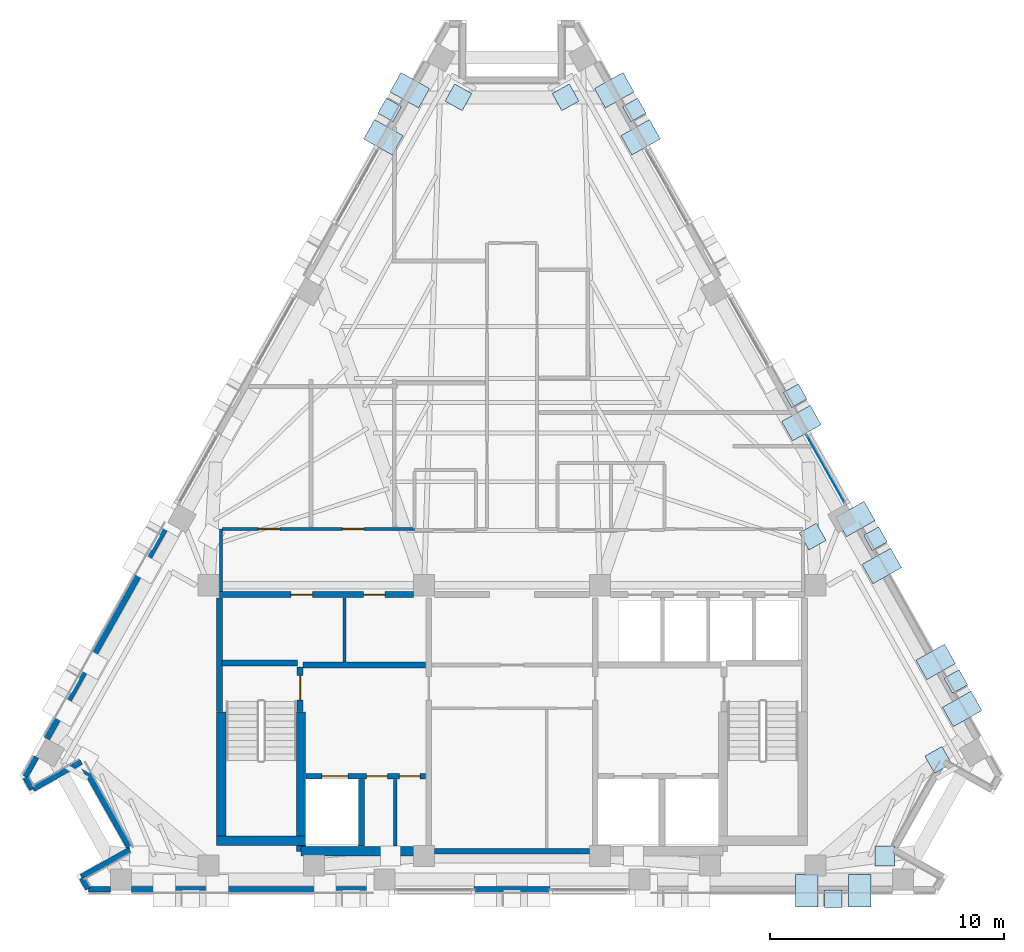
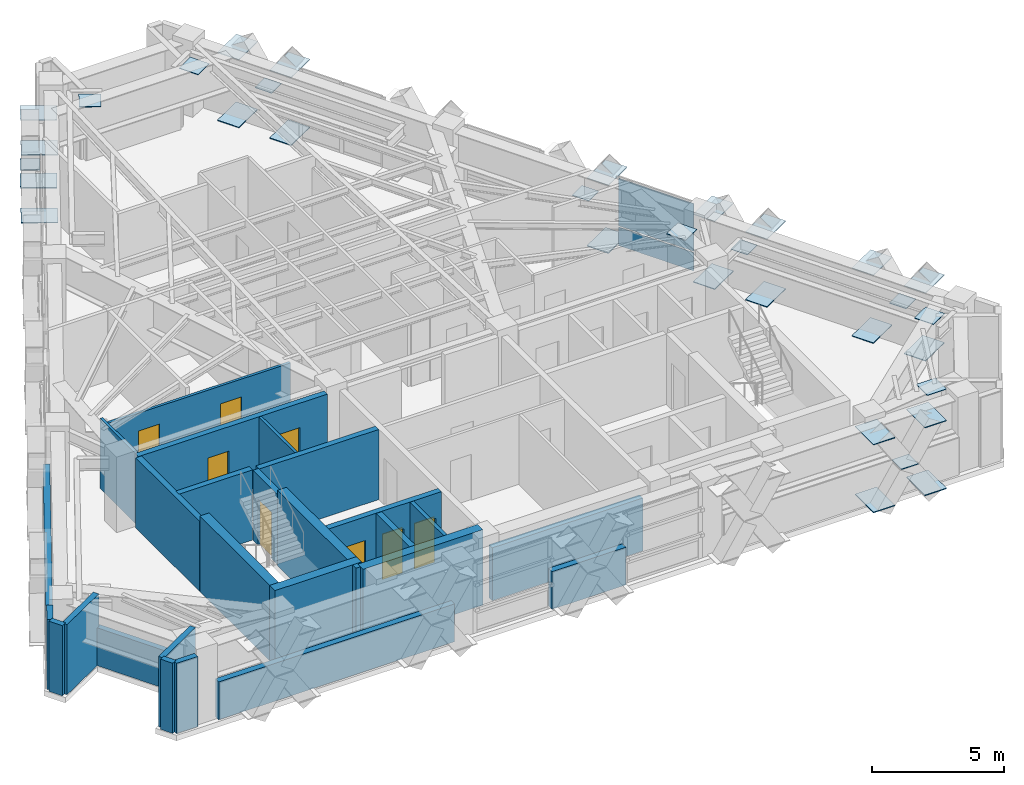
# One storey, part 7 of 13: 35 plates, 26 walls, 8 doors, 8 openings, 1 element without a shape of its own.
"""IFC4 building model written with IfcOpenShell, lengths in metres."""

from ifc_helpers import new_model, si_unit, direction, frame, frame_2d, origin, origin_2d, place, context, subcontext, project, spatial, rectangle, extrude, material, layer, layer_set, type_object, element, fill, aggregate, save


model = new_model("IFC4")

# Units and contexts
model_context = context("Model", 3, precision=1e-05, world=origin(), true_north=direction((0.0, 1.0)))
body_context = subcontext(model_context, "Body", "Model", "MODEL_VIEW")
ifc_project = project(units=[si_unit("LENGTHUNIT", "METRE"), si_unit("AREAUNIT", "SQUARE_METRE"), si_unit("VOLUMEUNIT", "CUBIC_METRE"), si_unit("PLANEANGLEUNIT", "RADIAN"), si_unit("MASSUNIT", "GRAM", prefix="KILO")], contexts=[model_context])

# Site, building, storey
site_placement = place(None, origin())
site = spatial("IfcSite", under=ifc_project, at=site_placement, CompositionType="ELEMENT")
building_placement = place(site_placement, origin())
building = spatial("IfcBuilding", under=site, at=building_placement, Name="Quenlor Broadcast Tower", CompositionType="ELEMENT")
storey_placement = place(building_placement, frame((0.0, 0.0, 225.39990234375)))
storey = spatial("IfcBuildingStorey", under=building, at=storey_placement, Name="L62", CompositionType="ELEMENT", Elevation=225.39990234375)

# Curtain wall, plates
ifc_material_1 = material(Name="Architectural Terracotta and Low-E Glazing", Category="masonry")
curtain_wall_type = type_object("IfcCurtainWallType", Name="Unitised Terracotta Curtain Wall System Z4", PredefinedType="NOTDEFINED", material=ifc_material_1)
curtain_wall_placement = place(storey_placement, origin())
curtain_wall = element("IfcCurtainWall", 1, at=curtain_wall_placement, inside=storey, type_object=curtain_wall_type, Name="L62 Curtain Wall CW4 (L62-NE-G2)", PredefinedType="NOTDEFINED")
ifc_material_2 = material(Name="Double Glazed Low-E Solar Glass", Category="glass")
ifc_layer_1 = layer(ifc_material_2, 0.028076171875)
ifc_layer_set_1 = layer_set([ifc_layer_1], Name="CW4 Double Glazed Vision Panel 28")
plate_type_1 = type_object("IfcPlateType", Name="CW4 Double Glazed Vision Panel 28", PredefinedType="CURTAIN_PANEL", material=ifc_layer_set_1)
plate_1_placement = place(storey_placement, frame((13.3759765625, 0.161376953125, 0.068359375), z_axis=(0.0, 0.0, 1.0), x_axis=(0.490257089819, -0.871577871382, 0.0)))
plate_1 = element("IfcPlate", 2, at=plate_1_placement, type_object=plate_type_1, Name="CW4 panel 1.1", PredefinedType="CURTAIN_PANEL", context=body_context, shape_type="SweptSolid", body=[
    extrude(rectangle(XDim=3.29638671875, YDim=0.028076171875, at=origin_2d()), origin(), (0.0, 0.0, 1.0), 0.847900390625),
])
plate_2_placement = place(storey_placement, frame((13.3759765625, 0.161376953125, 0.98388671875), z_axis=(0.0, 0.0, 1.0), x_axis=(0.490257089819, -0.871577871382, 0.0)))
plate_2 = element("IfcPlate", 3, at=plate_2_placement, type_object=plate_type_1, Name="CW4 panel 1.2", PredefinedType="CURTAIN_PANEL", context=body_context, shape_type="SweptSolid", body=[
    extrude(rectangle(XDim=3.29638671875, YDim=0.028076171875, at=origin_2d()), origin(), (0.0, 0.0, 1.0), 2.197998046875),
])
aggregate(curtain_wall, [plate_1, plate_2])

# Plates
ifc_material_3 = material(Name="Steel S355", Category="steel")
ifc_layer_2 = layer(ifc_material_3, 0.028076171875)
ifc_layer_set_2 = layer_set([ifc_layer_2], Name="Perimeter Lattice Node Steel S355 Cap Plate 740x740x28")
plate_type_2 = type_object("IfcPlateType", Name="Perimeter Lattice Node Steel S355 Cap Plate 740x740x28", PredefinedType="USERDEFINED", material=ifc_layer_set_2)
for number, where, z_axis, x_axis, name in (
    (4, (13.70068359375, -18.169921875, 1.6162109375), (0.0, 0.0, 1.0), (-1.0, 0.0, 0.0), "L62 Diamond Lattice Crossing Node S-C1"),
    (5, (5.21484375, 15.4755859375, 1.6162109375), (0.0, 0.0, 1.0), (0.490295412055, -0.871556314255, 0.0), "L62 Diamond Lattice Crossing Node NE-C1"),
    (6, (12.0732421875, 3.283447265625, 1.6162109375), (0.0, 0.0, 1.0), (0.490295412055, -0.871556314255, 0.0), "L62 Diamond Lattice Crossing Node NE-C3"),
    (7, (15.502197265625, -2.81298828125, 1.6162109375), (0.0, 0.0, 1.0), (0.490295412055, -0.871556314255, 0.0), "L62 Diamond Lattice Crossing Node NE-C4"),
    (8, (18.931396484375, -8.908935546875, 1.6162109375), (0.0, 0.0, 1.0), (0.490295412055, -0.871556314255, 0.0), "L62 Diamond Lattice Crossing Node NE-C5"),
    (9, (-5.21484375, 15.4755859375, 1.6162109375), (0.0, 0.0, 1.0), (0.490295412055, 0.871556314255, 0.0), "L62 Diamond Lattice Crossing Node NW-C5"),
):
    element("IfcPlate", number, at=place(storey_placement, frame(where, z_axis=z_axis, x_axis=x_axis)), inside=storey, type_object=plate_type_2, Name=name, ObjectType="CAP PLATE", PredefinedType="USERDEFINED", context=body_context, shape_type="SweptSolid", body=[
        extrude(rectangle(XDim=0.739990234375, YDim=0.739990234375, at=origin_2d()), origin(), (0.0, 0.0, 1.0), 0.028076171875),
    ])
ifc_material_4 = material(Name="Steel S355", Category="steel")
ifc_layer_3 = layer(ifc_material_4, 0.035888671875)
ifc_layer_set_3 = layer_set([ifc_layer_3], Name="Transfer Truss Steel S355 Gusset Node Plate 1400x950x36")
plate_type_3 = type_object("IfcPlateType", Name="Transfer Truss Steel S355 Gusset Node Plate 1400x950x36", PredefinedType="SHEET", material=ifc_layer_set_3)
for number, where, z_axis, x_axis, name in (
    (10, (14.828857421875, -17.8349609375, 0.0419921875), (0.0, 0.0, 1.0), (0.0, -1.0, 0.0), "L62 Lattice Tie Gusset Node S-B1"),
    (11, (12.57275390625, -17.8349609375, 3.18212890625), (0.0, 0.0, 1.0), (0.0, -1.0, 0.0), "L62 Lattice Tie Gusset Node S-T2"),
    (12, (12.57275390625, -17.8349609375, 0.0419921875), (0.0, 0.0, 1.0), (0.0, -1.0, 0.0), "L62 Lattice Tie Gusset Node S-B2"),
    (13, (14.828857421875, -17.8349609375, 3.18212890625), (0.0, 0.0, 1.0), (0.0, -1.0, 0.0), "L62 Lattice Tie Gusset Node S-T1"),
    (14, (4.3583984375, 16.315185546875, 0.0419921875), (0.0, 0.0, 1.0), (0.871556314255, 0.490295412055, 0.0), "L62 Lattice Tie Gusset Node NE-B1"),
    (15, (5.48779296875, 14.3076171875, 3.18212890625), (0.0, 0.0, 1.0), (0.871556314255, 0.490295412055, 0.0), "L62 Lattice Tie Gusset Node NE-T2"),
    (16, (5.48779296875, 14.3076171875, 0.0419921875), (0.0, 0.0, 1.0), (0.871556314255, 0.490295412055, 0.0), "L62 Lattice Tie Gusset Node NE-B2"),
    (17, (4.3583984375, 16.315185546875, 3.18212890625), (0.0, 0.0, 1.0), (0.871556314255, 0.490295412055, 0.0), "L62 Lattice Tie Gusset Node NE-T1"),
    (18, (12.345947265625, 2.115234375, 3.18212890625), (0.0, 0.0, 1.0), (0.871556314255, 0.490295412055, 0.0), "L62 Lattice Tie Gusset Node NE-T8"),
    (19, (12.345947265625, 2.115234375, 0.0419921875), (0.0, 0.0, 1.0), (0.871556314255, 0.490295412055, 0.0), "L62 Lattice Tie Gusset Node NE-B8"),
    (20, (14.6455078125, -1.97314453125, 0.0419921875), (0.0, 0.0, 1.0), (0.871556314255, 0.490295412055, 0.0), "L62 Lattice Tie Gusset Node NE-B10"),
    (21, (15.77490234375, -3.98095703125, 3.18212890625), (0.0, 0.0, 1.0), (0.871556314255, 0.490295412055, 0.0), "L62 Lattice Tie Gusset Node NE-T11"),
    (22, (15.77490234375, -3.98095703125, 0.0419921875), (0.0, 0.0, 1.0), (0.871556314255, 0.490295412055, 0.0), "L62 Lattice Tie Gusset Node NE-B11"),
    (23, (14.6455078125, -1.97314453125, 3.18212890625), (0.0, 0.0, 1.0), (0.871556314255, 0.490295412055, 0.0), "L62 Lattice Tie Gusset Node NE-T10"),
    (24, (18.07470703125, -8.0693359375, 0.0419921875), (0.0, 0.0, 1.0), (0.871556314255, 0.490295412055, 0.0), "L62 Lattice Tie Gusset Node NE-B13"),
    (25, (19.2041015625, -10.0771484375, 3.18212890625), (0.0, 0.0, 1.0), (0.871556314255, 0.490295412055, 0.0), "L62 Lattice Tie Gusset Node NE-T14"),
    (26, (19.2041015625, -10.0771484375, 0.0419921875), (0.0, 0.0, 1.0), (0.871556314255, 0.490295412055, 0.0), "L62 Lattice Tie Gusset Node NE-B14"),
    (27, (18.07470703125, -8.0693359375, 3.18212890625), (0.0, 0.0, 1.0), (0.871556314255, 0.490295412055, 0.0), "L62 Lattice Tie Gusset Node NE-T13"),
    (28, (-5.48779296875, 14.3076171875, 0.0419921875), (0.0, 0.0, 1.0), (-0.871556314255, 0.490295412055, 0.0), "L62 Lattice Tie Gusset Node NW-B13"),
    (29, (-4.3583984375, 16.315185546875, 3.18212890625), (0.0, 0.0, 1.0), (-0.871556314255, 0.490295412055, 0.0), "L62 Lattice Tie Gusset Node NW-T14"),
    (30, (-4.3583984375, 16.315185546875, 0.0419921875), (0.0, 0.0, 1.0), (-0.871556314255, 0.490295412055, 0.0), "L62 Lattice Tie Gusset Node NW-B14"),
    (31, (-5.48779296875, 14.3076171875, 3.18212890625), (0.0, 0.0, 1.0), (-0.871556314255, 0.490295412055, 0.0), "L62 Lattice Tie Gusset Node NW-T13"),
):
    element("IfcPlate", number, at=place(storey_placement, frame(where, z_axis=z_axis, x_axis=x_axis)), inside=storey, type_object=plate_type_3, Name=name, PredefinedType="SHEET", context=body_context, shape_type="SweptSolid", body=[
        extrude(rectangle(XDim=1.39990234375, YDim=0.949951171875, at=origin_2d()), origin(), (0.0, 0.0, 1.0), 0.035888671875),
    ])
ifc_material_5 = material(Name="Steel S355", Category="steel")
ifc_layer_4 = layer(ifc_material_5, 0.028076171875)
ifc_layer_set_4 = layer_set([ifc_layer_4], Name="Upper Zone Setback Steel S355 Kink Cap Plate 840x840x28")
plate_type_4 = type_object("IfcPlateType", Name="Upper Zone Setback Steel S355 Kink Cap Plate 840x840x28", PredefinedType="USERDEFINED", material=ifc_layer_set_4)
for number, where, z_axis, x_axis, name in (
    (32, (15.897705078125, -16.35009765625, 3.22021484375), (0.0, 0.0, 1.0), (0.0, 1.0, 0.0), "L62 Setback Kink Plate S4"),
    (33, (18.182373046875, -12.25, 3.22021484375), (0.0, 0.0, 1.0), (0.871575139605, 0.490261946333, 0.0), "L62 Setback Kink Plate NE1"),
    (34, (12.825439453125, -2.726806640625, 3.22021484375), (0.0, 0.0, 1.0), (0.871575139605, 0.490261946333, 0.0), "L62 Setback Kink Plate NE2"),
    (35, (2.28466796875, 16.012451171875, 3.22021484375), (0.0, 0.0, 1.0), (0.871575139605, 0.490261946333, 0.0), "L62 Setback Kink Plate NE4"),
    (36, (-2.28466796875, 16.012451171875, 3.22021484375), (0.0, 0.0, 1.0), (-0.871575139605, 0.490261946333, 0.0), "L62 Setback Kink Plate NW1"),
):
    element("IfcPlate", number, at=place(storey_placement, frame(where, z_axis=z_axis, x_axis=x_axis)), inside=storey, type_object=plate_type_4, Name=name, ObjectType="CAP PLATE", PredefinedType="USERDEFINED", context=body_context, shape_type="SweptSolid", body=[
        extrude(rectangle(XDim=0.840087890625, YDim=0.840087890625, at=origin_2d()), origin(), (0.0, 0.0, 1.0), 0.028076171875),
    ])

# Walls
ifc_material_6 = material(Name="Concrete C50/60", Category="concrete")
ifc_layer_5 = layer(ifc_material_6, 0.39990234375)
ifc_layer_set_5 = layer_set([ifc_layer_5], Name="Core Concrete C50/60 Shear Wall 400")
wall_type_1 = type_object("IfcWallType", Name="Core Concrete C50/60 Shear Wall 400", PredefinedType="SHEAR", material=ifc_layer_set_5)
wall_1_placement = place(storey_placement, frame((-12.60009765625, -15.699951171875, 0.0), z_axis=(0.0, 0.0, 1.0), x_axis=(1.0, 0.0, 0.0)))
element("IfcWall", 37, at=wall_1_placement, inside=storey, type_object=wall_type_1, Name="L62 Core Shear Wall WS-W1", PredefinedType="SHEAR", context=body_context, shape_type="SweptSolid", body=[
    extrude(rectangle(XDim=3.800048828125, YDim=0.39990234375, at=frame_2d((1.89990234375, 0.0))), origin(), (0.0, 0.0, 1.0), 3.5),
])
wall_2_placement = place(storey_placement, frame((-9.0, -16.14990234375, 0.0), z_axis=(0.0, 0.0, 1.0), x_axis=(1.0, 0.0, 0.0)))
element("IfcWall", 38, at=wall_2_placement, inside=storey, type_object=wall_type_1, Name="L62 Core Shear Wall WS-W2", PredefinedType="SHEAR", context=body_context, shape_type="SweptSolid", body=[
    extrude(rectangle(XDim=5.25, YDim=0.39990234375, at=frame_2d((2.625, 0.0))), origin(), (0.0, 0.0, 1.0), 3.5),
])
wall_3_placement = place(storey_placement, frame((-12.39990234375, -15.699951171875, 0.0), z_axis=(0.0, 0.0, 1.0), x_axis=(0.0, 1.0, 0.0)))
element("IfcWall", 39, at=wall_3_placement, inside=storey, type_object=wall_type_1, Name="L62 Core Shear Wall WF-W", PredefinedType="SHEAR", context=body_context, shape_type="SweptSolid", body=[
    extrude(rectangle(XDim=5.5, YDim=0.39990234375, at=frame_2d((2.75, 0.0))), origin(), (0.0, 0.0, 1.0), 3.5),
])
wall_4_placement = place(storey_placement, frame((-9.0, -16.14990234375, 0.0), z_axis=(0.0, 0.0, 1.0), x_axis=(0.0, 1.0, 0.0)))
element("IfcWall", 40, at=wall_4_placement, inside=storey, type_object=wall_type_1, Name="L62 Core Shear Wall WI-W", PredefinedType="SHEAR", context=body_context, shape_type="SweptSolid", body=[
    extrude(rectangle(XDim=5.949951171875, YDim=0.39990234375, at=frame_2d((2.97509765625, 0.0))), origin(), (0.0, 0.0, 1.0), 3.5),
])

# Wall, opening, door
ifc_material_7 = material(Name="Concrete C40/50", Category="concrete")
ifc_layer_6 = layer(ifc_material_7, 0.25)
ifc_layer_set_6 = layer_set([ifc_layer_6], Name="Fire Rated Concrete C40/50 Core Wall 250")
wall_type_2 = type_object("IfcWallType", Name="Fire Rated Concrete C40/50 Core Wall 250", PredefinedType="PARTITIONING", material=ifc_layer_set_6)
wall_5_placement = place(storey_placement, frame((-9.0400390625, -10.179931640625, 0.0), z_axis=(0.0, 0.0, 1.0), x_axis=(0.0, 1.0, 0.0)))
wall_5 = element("IfcWall", 41, at=wall_5_placement, inside=storey, type_object=wall_type_2, Name="L62 Interior Wall CW-ST1-DR", PredefinedType="PARTITIONING", context=body_context, shape_type="SweptSolid", body=[
    extrude(rectangle(XDim=1.89990234375, YDim=0.25, at=frame_2d((0.949951171875, 0.0))), origin(), (0.0, 0.0, 1.0), 3.25),
])
opening_1_placement = place(wall_5_placement, frame((0.47998046875, 0.0, 0.0)))
opening_1 = element("IfcOpeningElement", 42, at=opening_1_placement, cuts=wall_5, Name="Opening FD-1", PredefinedType="OPENING", context=body_context, shape_type="SweptSolid", body=[
    extrude(rectangle(XDim=1.050048828125, YDim=2.14990234375, at=frame_2d((0.52490234375, 1.074951171875))), frame((0.0, 0.135009765625, 0.0), z_axis=(0.0, -1.0, 0.0), x_axis=(1.0, 0.0, 0.0)), (0.0, 0.0, 1.0), 0.27001953125),
])
ifc_material_8 = material(Name="Fire Rated Steel Door Leaf", Category="steel")
door_type_1 = type_object("IfcDoorType", Name="Fire Isolated Stair Door 1050x2150", OperationType="NOTDEFINED", PredefinedType="DOOR", material=ifc_material_8)
door_1_placement = place(opening_1_placement, origin())
door_1 = element("IfcDoor", 43, at=door_1_placement, inside=storey, type_object=door_type_1, Name="L62 Door DR-ST1", OperationType="SINGLE_SWING_LEFT", OverallHeight=2.14990234375, OverallWidth=1.050048828125, PredefinedType="DOOR", context=body_context, shape_type="SweptSolid", body=[
    extrude(rectangle(XDim=1.050048828125, YDim=2.14990234375, at=frame_2d((0.52490234375, 1.074951171875))), frame((0.0, 0.02490234375, 0.0), z_axis=(0.0, -1.0, 0.0), x_axis=(1.0, 0.0, 0.0)), (0.0, 0.0, 1.0), 0.050048828125),
])
fill(opening_1, door_1)

# Walls
wall_6_placement = place(storey_placement, frame((-12.3798828125, -8.1201171875, 0.0), z_axis=(0.0, 0.0, 1.0), x_axis=(1.0, 0.0, 0.0)))
element("IfcWall", 44, at=wall_6_placement, inside=storey, type_object=wall_type_2, Name="L62 Interior Wall CW-ST1-N", PredefinedType="PARTITIONING", context=body_context, shape_type="SweptSolid", body=[
    extrude(rectangle(XDim=3.219970703125, YDim=0.25, at=frame_2d((1.60986328125, 0.0))), origin(), (0.0, 0.0, 1.0), 3.25),
])
wall_7_placement = place(storey_placement, frame((-12.47998046875, -10.179931640625, 0.0), z_axis=(0.0, 0.0, 1.0), x_axis=(0.0, 1.0, 0.0)))
element("IfcWall", 45, at=wall_7_placement, inside=storey, type_object=wall_type_2, Name="L62 Interior Wall CW-ST1-W2", PredefinedType="PARTITIONING", context=body_context, shape_type="SweptSolid", body=[
    extrude(rectangle(XDim=4.83984375, YDim=0.25, at=frame_2d((2.419921875, 0.0))), origin(), (0.0, 0.0, 1.0), 3.25),
])

# Wall, openings, doors
wall_8_placement = place(storey_placement, frame((-8.798095703125, -12.949951171875, 0.0), z_axis=(0.0, 0.0, 1.0), x_axis=(1.0, 0.0, 0.0)))
wall_8 = element("IfcWall", 46, at=wall_8_placement, inside=storey, type_object=wall_type_2, Name="L62 Interior Wall CW-FFW-S", PredefinedType="PARTITIONING", context=body_context, shape_type="SweptSolid", body=[
    extrude(rectangle(XDim=5.1181640625, YDim=0.25, at=frame_2d((2.55908203125, 0.0))), origin(), (0.0, 0.0, 1.0), 3.25),
])
opening_2_placement = place(wall_8_placement, frame((0.697998046875, 0.0, 0.0)))
opening_2 = element("IfcOpeningElement", 47, at=opening_2_placement, cuts=wall_8, Name="Opening LD-FFL-1", PredefinedType="OPENING", context=body_context, shape_type="SweptSolid", body=[
    extrude(rectangle(XDim=1.10009765625, YDim=2.14990234375, at=frame_2d((0.550048828125, 1.074951171875))), frame((0.0, 0.135009765625, 0.0), z_axis=(0.0, -1.0, 0.0), x_axis=(1.0, 0.0, 0.0)), (0.0, 0.0, 1.0), 0.27001953125),
])
opening_3_placement = place(wall_8_placement, frame((2.597900390625, 0.0, 0.0)))
opening_3 = element("IfcOpeningElement", 48, at=opening_3_placement, cuts=wall_8, Name="Opening TD-1", PredefinedType="OPENING", context=body_context, shape_type="SweptSolid", body=[
    extrude(rectangle(XDim=0.8798828125, YDim=2.10009765625, at=frame_2d((0.43994140625, 1.050048828125))), frame((0.0, 0.135009765625, 0.0), z_axis=(0.0, -1.0, 0.0), x_axis=(1.0, 0.0, 0.0)), (0.0, 0.0, 1.0), 0.27001953125),
])
opening_4_placement = place(wall_8_placement, frame((3.998046875, 0.0, 0.0)))
opening_4 = element("IfcOpeningElement", 49, at=opening_4_placement, cuts=wall_8, Name="Opening TD-1", PredefinedType="OPENING", context=body_context, shape_type="SweptSolid", body=[
    extrude(rectangle(XDim=0.8798828125, YDim=2.10009765625, at=frame_2d((0.43994140625, 1.050048828125))), frame((0.0, 0.135009765625, 0.0), z_axis=(0.0, -1.0, 0.0), x_axis=(1.0, 0.0, 0.0)), (0.0, 0.0, 1.0), 0.27001953125),
])
ifc_material_9 = material(Name="Brushed Stainless Steel", Category="steel")
door_type_2 = type_object("IfcDoorType", Name="Emergency Lift Sliding Landing Door 1100x2150", OperationType="NOTDEFINED", PredefinedType="DOOR", material=ifc_material_9)
door_2_placement = place(opening_2_placement, origin())
door_2 = element("IfcDoor", 50, at=door_2_placement, inside=storey, type_object=door_type_2, Name="L62 Door LD-FFL-1", OperationType="SLIDING_TO_LEFT", OverallHeight=2.14990234375, OverallWidth=1.10009765625, PredefinedType="DOOR", context=body_context, shape_type="SweptSolid", body=[
    extrude(rectangle(XDim=1.10009765625, YDim=2.14990234375, at=frame_2d((0.550048828125, 1.074951171875))), frame((0.0, 0.02490234375, 0.0), z_axis=(0.0, -1.0, 0.0), x_axis=(1.0, 0.0, 0.0)), (0.0, 0.0, 1.0), 0.050048828125),
])
fill(opening_2, door_2)
ifc_material_10 = material(Name="Fire Rated Steel Access Panel", Category="steel")
door_type_3 = type_object("IfcDoorType", Name="Riser Shaft Rated Access Trapdoor 880x2100", OperationType="NOTDEFINED", PredefinedType="TRAPDOOR", material=ifc_material_10)
door_3_placement = place(opening_3_placement, origin())
door_3 = element("IfcDoor", 51, at=door_3_placement, inside=storey, type_object=door_type_3, Name="L62 Door DR-ELR", OperationType="SINGLE_SWING_LEFT", OverallHeight=2.10009765625, OverallWidth=0.8798828125, PredefinedType="TRAPDOOR", context=body_context, shape_type="SweptSolid", body=[
    extrude(rectangle(XDim=0.8798828125, YDim=2.10009765625, at=frame_2d((0.43994140625, 1.050048828125))), frame((0.0, 0.02490234375, 0.0), z_axis=(0.0, -1.0, 0.0), x_axis=(1.0, 0.0, 0.0)), (0.0, 0.0, 1.0), 0.050048828125),
])
fill(opening_3, door_3)
door_4_placement = place(opening_4_placement, origin())
door_4 = element("IfcDoor", 52, at=door_4_placement, inside=storey, type_object=door_type_3, Name="L62 Door DR-CMR", OperationType="SINGLE_SWING_RIGHT", OverallHeight=2.10009765625, OverallWidth=0.8798828125, PredefinedType="TRAPDOOR", context=body_context, shape_type="SweptSolid", body=[
    extrude(rectangle(XDim=0.8798828125, YDim=2.10009765625, at=frame_2d((0.43994140625, 1.050048828125))), frame((0.0, 0.02490234375, 0.0), z_axis=(0.0, -1.0, 0.0), x_axis=(1.0, 0.0, 0.0)), (0.0, 0.0, 1.0), 0.050048828125),
])
fill(opening_4, door_4)

# Walls
wall_9_placement = place(storey_placement, frame((-6.419921875, -15.919921875, 0.0), z_axis=(0.0, 0.0, 1.0), x_axis=(0.0, 1.0, 0.0)))
element("IfcWall", 53, at=wall_9_placement, inside=storey, type_object=wall_type_2, Name="L62 Interior Wall CW-FF1-E", PredefinedType="PARTITIONING", context=body_context, shape_type="SweptSolid", body=[
    extrude(rectangle(XDim=2.829833984375, YDim=0.25, at=frame_2d((1.4150390625, 0.0))), origin(), (0.0, 0.0, 1.0), 3.25),
])
wall_10_placement = place(storey_placement, frame((-8.919921875, -8.199951171875, 0.0), z_axis=(0.0, 0.0, 1.0), x_axis=(1.0, 0.0, 0.0)))
element("IfcWall", 54, at=wall_10_placement, inside=storey, type_object=wall_type_2, Name="L62 Interior Wall CW-FFW-N", PredefinedType="PARTITIONING", context=body_context, shape_type="SweptSolid", body=[
    extrude(rectangle(XDim=5.239990234375, YDim=0.25, at=frame_2d((2.6201171875, 0.0))), origin(), (0.0, 0.0, 1.0), 3.25),
])

# Wall, openings, doors
wall_11_placement = place(storey_placement, frame((-12.47998046875, -5.199951171875, 0.0), z_axis=(0.0, 0.0, 1.0), x_axis=(1.0, 0.0, 0.0)))
wall_11 = element("IfcWall", 55, at=wall_11_placement, inside=storey, type_object=wall_type_2, Name="L62 Interior Wall CW-N-W", PredefinedType="PARTITIONING", context=body_context, shape_type="SweptSolid", body=[
    extrude(rectangle(XDim=8.278076171875, YDim=0.25, at=frame_2d((4.13916015625, 0.0))), origin(), (0.0, 0.0, 1.0), 3.25),
])
opening_5_placement = place(wall_11_placement, frame((3.050048828125, 0.0, 0.0)))
opening_5 = element("IfcOpeningElement", 56, at=opening_5_placement, cuts=wall_11, Name="Opening ID-1", PredefinedType="OPENING", context=body_context, shape_type="SweptSolid", body=[
    extrude(rectangle(XDim=0.919921875, YDim=2.1201171875, at=frame_2d((0.4599609375, 1.06005859375))), frame((0.0, 0.135009765625, 0.0), z_axis=(0.0, -1.0, 0.0), x_axis=(1.0, 0.0, 0.0)), (0.0, 0.0, 1.0), 0.27001953125),
])
opening_6_placement = place(wall_11_placement, frame((6.14990234375, 0.0, 0.0)))
opening_6 = element("IfcOpeningElement", 57, at=opening_6_placement, cuts=wall_11, Name="Opening ID-1", PredefinedType="OPENING", context=body_context, shape_type="SweptSolid", body=[
    extrude(rectangle(XDim=0.919921875, YDim=2.1201171875, at=frame_2d((0.4599609375, 1.06005859375))), frame((0.0, 0.135009765625, 0.0), z_axis=(0.0, -1.0, 0.0), x_axis=(1.0, 0.0, 0.0)), (0.0, 0.0, 1.0), 0.27001953125),
])
ifc_material_11 = material(Name="Solid Core Timber Oak", Category="wood")
door_type_4 = type_object("IfcDoorType", Name="Single Leaf Timber Office Door 920x2120", OperationType="NOTDEFINED", PredefinedType="DOOR", material=ifc_material_11)
door_5_placement = place(opening_5_placement, origin())
door_5 = element("IfcDoor", 58, at=door_5_placement, inside=storey, type_object=door_type_4, Name="L62 Door DR-RCL1", OperationType="SINGLE_SWING_LEFT", OverallHeight=2.1201171875, OverallWidth=0.919921875, PredefinedType="DOOR", context=body_context, shape_type="SweptSolid", body=[
    extrude(rectangle(XDim=0.919921875, YDim=2.1201171875, at=frame_2d((0.4599609375, 1.06005859375))), frame((0.0, 0.02490234375, 0.0), z_axis=(0.0, -1.0, 0.0), x_axis=(1.0, 0.0, 0.0)), (0.0, 0.0, 1.0), 0.050048828125),
])
fill(opening_5, door_5)
door_6_placement = place(opening_6_placement, origin())
door_6 = element("IfcDoor", 59, at=door_6_placement, inside=storey, type_object=door_type_4, Name="L62 Door DR-RCL2", OperationType="SINGLE_SWING_RIGHT", OverallHeight=2.1201171875, OverallWidth=0.919921875, PredefinedType="DOOR", context=body_context, shape_type="SweptSolid", body=[
    extrude(rectangle(XDim=0.919921875, YDim=2.1201171875, at=frame_2d((0.4599609375, 1.06005859375))), frame((0.0, 0.02490234375, 0.0), z_axis=(0.0, -1.0, 0.0), x_axis=(1.0, 0.0, 0.0)), (0.0, 0.0, 1.0), 0.050048828125),
])
fill(opening_6, door_6)

# Walls
wall_12_placement = place(storey_placement, frame((-3.298095703125, -16.14990234375, 0.0), z_axis=(0.0, 0.0, 1.0), x_axis=(1.0, 0.0, 0.0)))
element("IfcWall", 60, at=wall_12_placement, inside=storey, type_object=wall_type_2, Name="L62 Interior Wall CW-MS-S", PredefinedType="PARTITIONING", context=body_context, shape_type="SweptSolid", body=[
    extrude(rectangle(XDim=6.59619140625, YDim=0.25, at=frame_2d((3.298095703125, 0.0))), origin(), (0.0, 0.0, 1.0), 2.4501953125),
])
ifc_material_12 = material(Name="Gypsum Fireboard Partition", Category="other")
ifc_layer_7 = layer(ifc_material_12, 0.159912109375)
ifc_layer_set_7 = layer_set([ifc_layer_7], Name="Fire Rated Shaft and Corridor Partition 160")
wall_type_3 = type_object("IfcWallType", Name="Fire Rated Shaft and Corridor Partition 160", PredefinedType="PARTITIONING", material=ifc_layer_set_7)
wall_13_placement = place(storey_placement, frame((-4.97998046875, -15.919921875, 0.0), z_axis=(0.0, 0.0, 1.0), x_axis=(0.0, 1.0, 0.0)))
element("IfcWall", 61, at=wall_13_placement, inside=storey, type_object=wall_type_3, Name="L62 Interior Wall CW-ELR-E", PredefinedType="PARTITIONING", context=body_context, shape_type="SweptSolid", body=[
    extrude(rectangle(XDim=2.829833984375, YDim=0.159912109375, at=frame_2d((1.4150390625, 0.0))), origin(), (0.0, 0.0, 1.0), 3.25),
])
ifc_material_13 = material(Name="Gypsum Plasterboard Partition", Category="other")
ifc_layer_8 = layer(ifc_material_13, 0.1201171875)
ifc_layer_set_8 = layer_set([ifc_layer_8], Name="Standard Office Partition 120")
wall_type_4 = type_object("IfcWallType", Name="Standard Office Partition 120", PredefinedType="PARTITIONING", material=ifc_layer_set_8)
wall_14_placement = place(storey_placement, frame((-7.14990234375, -8.072998046875, 0.0), z_axis=(0.0, 0.0, 1.0), x_axis=(0.0, 1.0, 0.0)))
element("IfcWall", 62, at=wall_14_placement, inside=storey, type_object=wall_type_4, Name="L62 Interior Wall CW-RCL-MID", PredefinedType="PARTITIONING", context=body_context, shape_type="SweptSolid", body=[
    extrude(rectangle(XDim=2.73291015625, YDim=0.1201171875, at=frame_2d((1.366455078125, 0.0))), origin(), (0.0, 0.0, 1.0), 3.25),
])
wall_15_placement = place(storey_placement, frame((-12.409912109375, -5.072998046875, 0.0), z_axis=(0.0, 0.0, 1.0), x_axis=(0.0, 1.0, 0.0)))
element("IfcWall", 63, at=wall_15_placement, inside=storey, type_object=wall_type_4, Name="L62 Interior Wall PW-CR-01", PredefinedType="PARTITIONING", context=body_context, shape_type="SweptSolid", body=[
    extrude(rectangle(XDim=2.673095703125, YDim=0.1201171875, at=frame_2d((1.33642578125, 0.0))), origin(), (0.0, 0.0, 1.0), 3.25),
])

# Wall, openings, doors
wall_16_placement = place(storey_placement, frame((-12.347900390625, -2.39990234375, 0.0), z_axis=(0.0, 0.0, 1.0), x_axis=(1.0, 0.0, 0.0)))
wall_16 = element("IfcWall", 64, at=wall_16_placement, inside=storey, type_object=wall_type_4, Name="L62 Interior Wall PW-CR-02", PredefinedType="PARTITIONING", context=body_context, shape_type="SweptSolid", body=[
    extrude(rectangle(XDim=8.185791015625, YDim=0.1201171875, at=frame_2d((4.0927734375, 0.0))), origin(), (0.0, 0.0, 1.0), 2.94287109375),
])
opening_7_placement = place(wall_16_placement, frame((5.110107421875, 0.0, 0.0)))
opening_7 = element("IfcOpeningElement", 65, at=opening_7_placement, cuts=wall_16, Name="Opening ID-1", PredefinedType="OPENING", context=body_context, shape_type="SweptSolid", body=[
    extrude(rectangle(XDim=0.919921875, YDim=2.1201171875, at=frame_2d((0.4599609375, 1.06005859375))), frame((0.0, 0.070068359375, 0.0), z_axis=(0.0, -1.0, 0.0), x_axis=(1.0, 0.0, 0.0)), (0.0, 0.0, 1.0), 0.14013671875),
])
opening_8_placement = place(wall_16_placement, frame((1.52490234375, 0.0, 0.0)))
opening_8 = element("IfcOpeningElement", 66, at=opening_8_placement, cuts=wall_16, Name="Opening ID-1", PredefinedType="OPENING", context=body_context, shape_type="SweptSolid", body=[
    extrude(rectangle(XDim=0.919921875, YDim=2.1201171875, at=frame_2d((0.4599609375, 1.06005859375))), frame((0.0, 0.070068359375, 0.0), z_axis=(0.0, -1.0, 0.0), x_axis=(1.0, 0.0, 0.0)), (0.0, 0.0, 1.0), 0.14013671875),
])
door_7_placement = place(opening_7_placement, origin())
door_7 = element("IfcDoor", 67, at=door_7_placement, inside=storey, type_object=door_type_4, Name="L62 Door DR-RM06", OperationType="SINGLE_SWING_RIGHT", OverallHeight=2.1201171875, OverallWidth=0.919921875, PredefinedType="DOOR", context=body_context, shape_type="SweptSolid", body=[
    extrude(rectangle(XDim=0.919921875, YDim=2.1201171875, at=frame_2d((0.4599609375, 1.06005859375))), frame((0.0, 0.02490234375, 0.0), z_axis=(0.0, -1.0, 0.0), x_axis=(1.0, 0.0, 0.0)), (0.0, 0.0, 1.0), 0.050048828125),
])
fill(opening_7, door_7)
door_8_placement = place(opening_8_placement, origin())
door_8 = element("IfcDoor", 68, at=door_8_placement, inside=storey, type_object=door_type_4, Name="L62 Door DR-RM07", OperationType="SINGLE_SWING_LEFT", OverallHeight=2.1201171875, OverallWidth=0.919921875, PredefinedType="DOOR", context=body_context, shape_type="SweptSolid", body=[
    extrude(rectangle(XDim=0.919921875, YDim=2.1201171875, at=frame_2d((0.4599609375, 1.06005859375))), frame((0.0, 0.02490234375, 0.0), z_axis=(0.0, -1.0, 0.0), x_axis=(1.0, 0.0, 0.0)), (0.0, 0.0, 1.0), 0.050048828125),
])
fill(opening_8, door_8)

# Walls
ifc_material_14 = material(Name="Precast concrete C40/50", Category="concrete")
ifc_layer_9 = layer(ifc_material_14, 0.239990234375)
ifc_layer_set_9 = layer_set([ifc_layer_9], Name="Terrace Threshold Precast Concrete C40/50 Wall 240")
wall_type_5 = type_object("IfcWallType", Name="Terrace Threshold Precast Concrete C40/50 Wall 240", PredefinedType="STANDARD", material=ifc_layer_set_9)
wall_17_placement = place(storey_placement, frame((-17.130859375, -17.77490234375, 0.0), z_axis=(0.0, 0.0, 1.0), x_axis=(-1.0, 0.0, 0.0)))
element("IfcWall", 69, at=wall_17_placement, inside=storey, type_object=wall_type_5, Name="L62 Exterior Wall L62-SHD-SS1", PredefinedType="STANDARD", context=body_context, shape_type="SweptSolid", body=[
    extrude(rectangle(XDim=0.93505859375, YDim=0.239990234375, at=frame_2d((0.467529296875, 0.0))), origin(), (0.0, 0.0, 1.0), 3.25),
])
wall_18_placement = place(storey_placement, frame((-20.762451171875, -12.969970703125, 0.0), z_axis=(0.0, 0.0, 1.0), x_axis=(0.490345412687, 0.87152818443, 0.0)))
element("IfcWall", 70, at=wall_18_placement, inside=storey, type_object=wall_type_5, Name="L62 Exterior Wall L62-SHD-NWS0", PredefinedType="STANDARD", context=body_context, shape_type="SweptSolid", body=[
    extrude(rectangle(XDim=0.9638671875, YDim=0.239990234375, at=frame_2d((0.48193359375, 0.0))), origin(), (0.0, 0.0, 1.0), 3.25),
])
wall_19_placement = place(storey_placement, frame((-20.75537109375, -12.999267578125, 0.0), z_axis=(0.0, 0.0, 1.0), x_axis=(0.490320776404, -0.871542045014, 0.0)))
element("IfcWall", 71, at=wall_19_placement, inside=storey, type_object=wall_type_5, Name="L62 Exterior Wall L62-CNR-12", PredefinedType="STANDARD", context=body_context, shape_type="SweptSolid", body=[
    extrude(rectangle(XDim=0.583984375, YDim=0.239990234375, at=frame_2d((0.2919921875, 0.0))), origin(), (0.0, 0.0, 1.0), 3.25),
])
wall_20_placement = place(storey_placement, frame((-20.43408203125, -13.488525390625, 0.0), z_axis=(0.0, 0.0, 1.0), x_axis=(0.871578299909, 0.490256327984, 0.0)))
element("IfcWall", 72, at=wall_20_placement, inside=storey, type_object=wall_type_5, Name="L62 Exterior Wall L62-CNR-13", PredefinedType="STANDARD", context=body_context, shape_type="SweptSolid", body=[
    extrude(rectangle(XDim=2.35986328125, YDim=0.239990234375, at=frame_2d((1.179931640625, 0.0))), origin(), (0.0, 0.0, 1.0), 3.25),
])
wall_21_placement = place(storey_placement, frame((-18.357666015625, -12.366455078125, 0.0), z_axis=(0.0, 0.0, 1.0), x_axis=(0.49027487746, -0.871567865706, 0.0)))
element("IfcWall", 73, at=wall_21_placement, inside=storey, type_object=wall_type_5, Name="L62 Exterior Wall L62-CNR-14", PredefinedType="STANDARD", context=body_context, shape_type="SweptSolid", body=[
    extrude(rectangle(XDim=4.249755859375, YDim=0.239990234375, at=frame_2d((2.125, 0.0))), origin(), (0.0, 0.0, 1.0), 1.75),
])
wall_22_placement = place(storey_placement, frame((-16.30908203125, -16.08984375, 0.0), z_axis=(0.0, 0.0, 1.0), x_axis=(-0.871578299909, -0.490256327984, 0.0)))
element("IfcWall", 74, at=wall_22_placement, inside=storey, type_object=wall_type_5, Name="L62 Exterior Wall L62-CNR-15", PredefinedType="STANDARD", context=body_context, shape_type="SweptSolid", body=[
    extrude(rectangle(XDim=2.35986328125, YDim=0.239990234375, at=frame_2d((1.179931640625, 0.0))), origin(), (0.0, 0.0, 1.0), 3.25),
])
wall_23_placement = place(storey_placement, frame((-18.346435546875, -17.28173828125, 0.0), z_axis=(0.0, 0.0, 1.0), x_axis=(0.49038986747, -0.87150317147, 0.0)))
element("IfcWall", 75, at=wall_23_placement, inside=storey, type_object=wall_type_5, Name="L62 Exterior Wall L62-CNR-16", PredefinedType="STANDARD", context=body_context, shape_type="SweptSolid", body=[
    extrude(rectangle(XDim=0.540771484375, YDim=0.239990234375, at=frame_2d((0.2705078125, 0.0))), origin(), (0.0, 0.0, 1.0), 3.25),
])
ifc_material_15 = material(Name="Precast concrete C40/50", Category="concrete")
ifc_layer_10 = layer(ifc_material_15, 0.260009765625)
ifc_layer_set_10 = layer_set([ifc_layer_10], Name="Terracotta Precast Concrete C40/50 Upper Wall 260")
wall_type_6 = type_object("IfcWallType", Name="Terracotta Precast Concrete C40/50 Upper Wall 260", PredefinedType="STANDARD", material=ifc_layer_set_10)
wall_24_placement = place(storey_placement, frame((-5.892822265625, -17.77490234375, 0.0), z_axis=(0.0, 0.0, 1.0), x_axis=(-1.0, 0.0, 0.0)))
element("IfcWall", 76, at=wall_24_placement, inside=storey, type_object=wall_type_6, Name="L62 Exterior Wall L62-EW-SC", PredefinedType="STANDARD", context=body_context, shape_type="SweptSolid", body=[
    extrude(rectangle(XDim=10.328125, YDim=0.260009765625, at=frame_2d((5.1640625, 0.0))), origin(), (0.0, 0.0, 1.0), 1.75),
])
wall_25_placement = place(storey_placement, frame((1.62109375, -17.77490234375, 0.0), z_axis=(0.0, 0.0, 1.0), x_axis=(-1.0, 0.0, 0.0)))
element("IfcWall", 77, at=wall_25_placement, inside=storey, type_object=wall_type_6, Name="L62 Exterior Wall L62-S-SP1", PredefinedType="STANDARD", context=body_context, shape_type="SweptSolid", body=[
    extrude(rectangle(XDim=3.2421875, YDim=0.260009765625, at=frame_2d((1.62109375, 0.0))), origin(), (0.0, 0.0, 1.0), 1.75),
])
wall_26_placement = place(storey_placement, frame((-19.84375, -11.3369140625, 0.0), z_axis=(0.0, 0.0, 1.0), x_axis=(0.490246958575, 0.871583570066, 0.0)))
element("IfcWall", 78, at=wall_26_placement, inside=storey, type_object=wall_type_6, Name="L62 Exterior Wall L62-EW-NWA", PredefinedType="STANDARD", context=body_context, shape_type="SweptSolid", body=[
    extrude(rectangle(XDim=10.551513671875, YDim=0.260009765625, at=frame_2d((5.27587890625, 0.0))), origin(), (0.0, 0.0, 1.0), 1.75),
])

save(model, "model.ifc")
